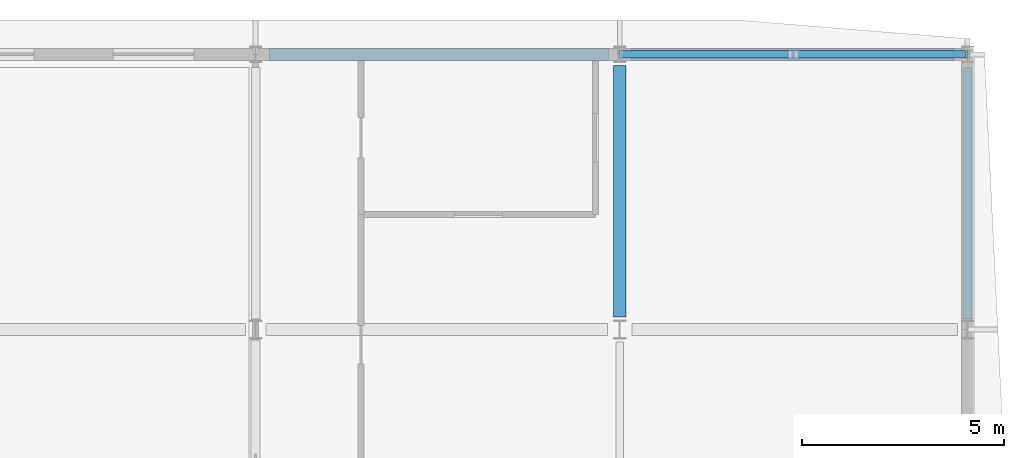
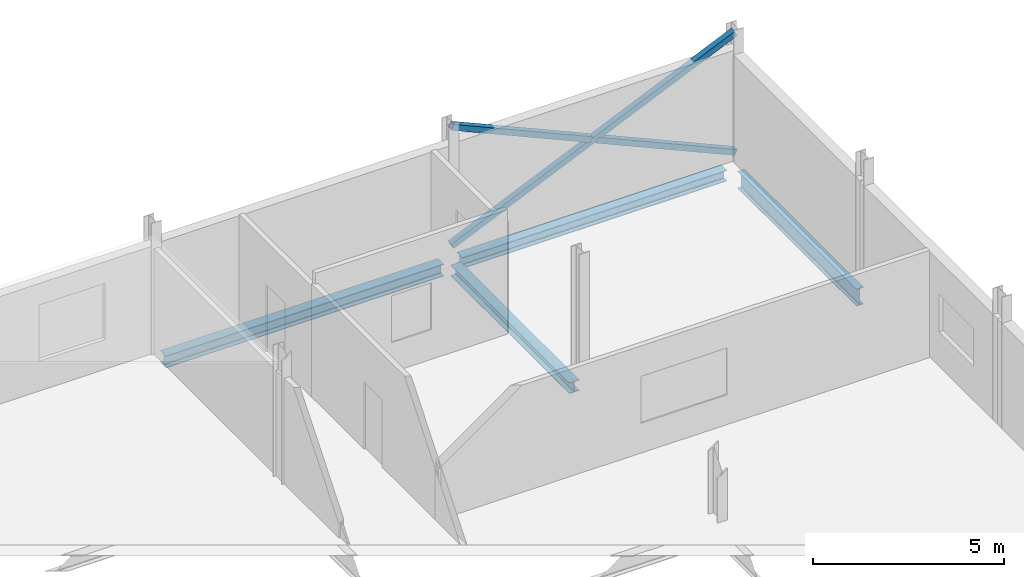
# One storey, part 88 of 138: 4 beams, 3 members.
"""IFC4 building model written with IfcOpenShell, lengths in metres."""

from ifc_helpers import new_model, si_unit, direction, frame, origin, origin_2d, place, context, subcontext, project, spatial, hollow_rectangle, i_section, extrude, material, material_profile, profile_set, type_object, element, save


model = new_model("IFC4")

# Units and contexts
model_context = context("Model", 3, precision=1e-05, world=origin(), true_north=direction((0.0, 1.0)))
body_context = subcontext(model_context, "Body", "Model", "MODEL_VIEW")
ifc_project = project(units=[si_unit("LENGTHUNIT", "METRE"), si_unit("AREAUNIT", "SQUARE_METRE"), si_unit("VOLUMEUNIT", "CUBIC_METRE"), si_unit("PLANEANGLEUNIT", "RADIAN"), si_unit("MASSUNIT", "GRAM", prefix="KILO")], contexts=[model_context])

# Site, building, storey
site_placement = place(None, origin())
site = spatial("IfcSite", under=ifc_project, at=site_placement, CompositionType="ELEMENT")
building_placement = place(site_placement, origin())
building = spatial("IfcBuilding", under=site, at=building_placement, Name="Vinh Khe Railworks Police Headquarters", CompositionType="ELEMENT")
storey_placement = place(building_placement, frame((0.0, 0.0, 9.0)))
storey = spatial("IfcBuildingStorey", under=building, at=storey_placement, Name="L02", CompositionType="ELEMENT", Elevation=9.0)

# Members
ifc_material = material(Name="Steel S355JR", Category="steel")
ifc_material_profile_1 = material_profile(ifc_material, hollow_rectangle(XDim=0.179931640625, YDim=0.179931640625, WallThickness=0.010009765625, at=origin_2d()), Name="SHS 180x180x10")
ifc_profile_set_1 = profile_set([ifc_material_profile_1], Name="Steel S355JR")
member_type = type_object("IfcMemberType", Name="Concentric Brace SHS 180x180x10", PredefinedType="BRACE", material=ifc_profile_set_1)
member_placement = place(storey_placement, frame((105.02001953125, 166.39990234375, 0.199951171875), z_axis=(0.913986681709, 0.0, 0.405744187462), x_axis=(0.0, 1.0, 0.0)))
element("IfcMember", 1, at=member_placement, inside=storey, type_object=member_type, Name="Continuous Concentric Brace MEM-BR-L02-BR-03-055", PredefinedType="BRACE", context=body_context, shape_type="SweptSolid", body=[
    extrude(hollow_rectangle(XDim=0.179931640625, YDim=0.179931640625, WallThickness=0.010009765625, at=origin_2d()), origin(), (0.0, 0.0, 1.0), 9.36572265625),
])
for number, where, z_axis, x_axis, name in (
    (2, (105.02001953125, 166.39990234375, 4.0), (0.913989152343, 0.0, -0.40573862202), (0.0, 1.0, 0.0), "Split X-Brace Segment MEM-BR-L02-BR-03-056 (2A)"),
    (3, (109.385498046875, 166.39990234375, 2.06201171875), (0.913989152343, 0.0, -0.40573862202), (0.0, 1.0, 0.0), "Split X-Brace Segment MEM-BR-L02-BR-03-057 (2B)"),
):
    element("IfcMember", number, at=place(storey_placement, frame(where, z_axis=z_axis, x_axis=x_axis)), inside=storey, type_object=member_type, Name=name, PredefinedType="BRACE", context=body_context, shape_type="SweptSolid", body=[
        extrude(hollow_rectangle(XDim=0.179931640625, YDim=0.179931640625, WallThickness=0.010009765625, at=origin_2d()), origin(), (0.0, 0.0, 1.0), 4.58935546875),
    ])

# Beams
ifc_material_profile_2 = material_profile(ifc_material, i_section(OverallWidth=0.300048828125, OverallDepth=0.35009765625, WebThickness=0.010009765625, FlangeThickness=0.017578125, FilletRadius=0.027099609375, at=origin_2d()), Name="HEA 360")
ifc_profile_set_2 = profile_set([ifc_material_profile_2], Name="Steel S355JR")
beam_type_1 = type_object("IfcBeamType", Name="Steel Girder HEA 360", PredefinedType="BEAM", material=ifc_profile_set_2)
beam_1_placement = place(storey_placement, frame((105.280029296875, 166.39990234375, -0.39501953125), z_axis=(1.0, 0.0, 0.0), x_axis=(0.0, 1.0, 0.0)))
element("IfcBeam", 4, at=beam_1_placement, inside=storey, type_object=beam_type_1, Name="Girder BM-L02-EW-SB-15-0870", PredefinedType="BEAM", context=body_context, shape_type="SweptSolid", body=[
    extrude(i_section(OverallWidth=0.300048828125, OverallDepth=0.35009765625, WebThickness=0.010009765625, FlangeThickness=0.017578125, FilletRadius=0.027099609375, at=origin_2d()), origin(), (0.0, 0.0, 1.0), 7.989990234375),
])
beam_2_placement = place(storey_placement, frame((105.0, 159.905029296875, -0.39501953125), z_axis=(0.0, 1.0, 0.0), x_axis=(-1.0, 0.0, 0.0)))
element("IfcBeam", 5, at=beam_2_placement, inside=storey, type_object=beam_type_1, Name="Girder BM-L02-NS-SB-15-1009", PredefinedType="BEAM", context=body_context, shape_type="SweptSolid", body=[
    extrude(i_section(OverallWidth=0.300048828125, OverallDepth=0.35009765625, WebThickness=0.010009765625, FlangeThickness=0.017578125, FilletRadius=0.027099609375, at=origin_2d()), origin(), (0.0, 0.0, 1.0), 6.215087890625),
])
ifc_material_profile_3 = material_profile(ifc_material, i_section(OverallWidth=0.300048828125, OverallDepth=0.389892578125, WebThickness=0.010986328125, FlangeThickness=0.01904296875, FilletRadius=0.027099609375, at=origin_2d()), Name="HEA 400")
ifc_profile_set_3 = profile_set([ifc_material_profile_3], Name="Steel S355JR")
beam_type_2 = type_object("IfcBeamType", Name="Steel Girder HEA 400", PredefinedType="BEAM", material=ifc_profile_set_3)
beam_3_placement = place(storey_placement, frame((96.330078125, 166.39990234375, -0.4150390625), z_axis=(1.0, 0.0, 0.0), x_axis=(0.0, 1.0, 0.0)))
element("IfcBeam", 6, at=beam_3_placement, inside=storey, type_object=beam_type_2, Name="Girder BM-L02-EW-SB-14-0869", PredefinedType="BEAM", context=body_context, shape_type="SweptSolid", body=[
    extrude(i_section(OverallWidth=0.300048828125, OverallDepth=0.389892578125, WebThickness=0.010986328125, FlangeThickness=0.01904296875, FilletRadius=0.027099609375, at=origin_2d()), origin(), (0.0, 0.0, 1.0), 8.389892578125),
])
ifc_material_profile_4 = material_profile(ifc_material, i_section(OverallWidth=0.2099609375, OverallDepth=0.550048828125, WebThickness=0.010986328125, FlangeThickness=0.01708984375, FilletRadius=0.02392578125, at=origin_2d()), Name="IPE 550")
ifc_profile_set_4 = profile_set([ifc_material_profile_4], Name="Steel S355JR")
beam_type_3 = type_object("IfcBeamType", Name="Steel Girder IPE 550", PredefinedType="BEAM", material=ifc_profile_set_4)
beam_4_placement = place(storey_placement, frame((113.60009765625, 159.85498046875, -0.4951171875), z_axis=(0.0, 1.0, 0.0), x_axis=(-1.0, 0.0, 0.0)))
element("IfcBeam", 7, at=beam_4_placement, inside=storey, type_object=beam_type_3, Name="Girder BM-L02-NS-SB-18-1018", PredefinedType="BEAM", context=body_context, shape_type="SweptSolid", body=[
    extrude(i_section(OverallWidth=0.2099609375, OverallDepth=0.550048828125, WebThickness=0.010986328125, FlangeThickness=0.01708984375, FilletRadius=0.02392578125, at=origin_2d()), origin(), (0.0, 0.0, 1.0), 6.215087890625),
])

save(model, "model.ifc")
